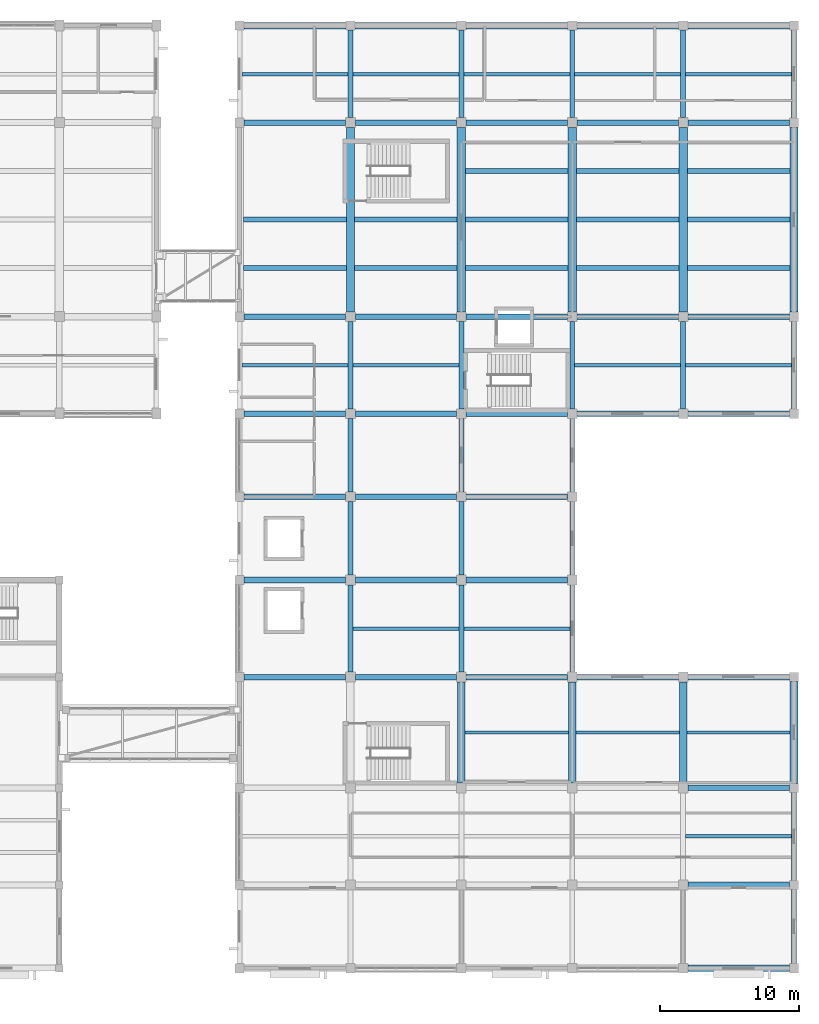
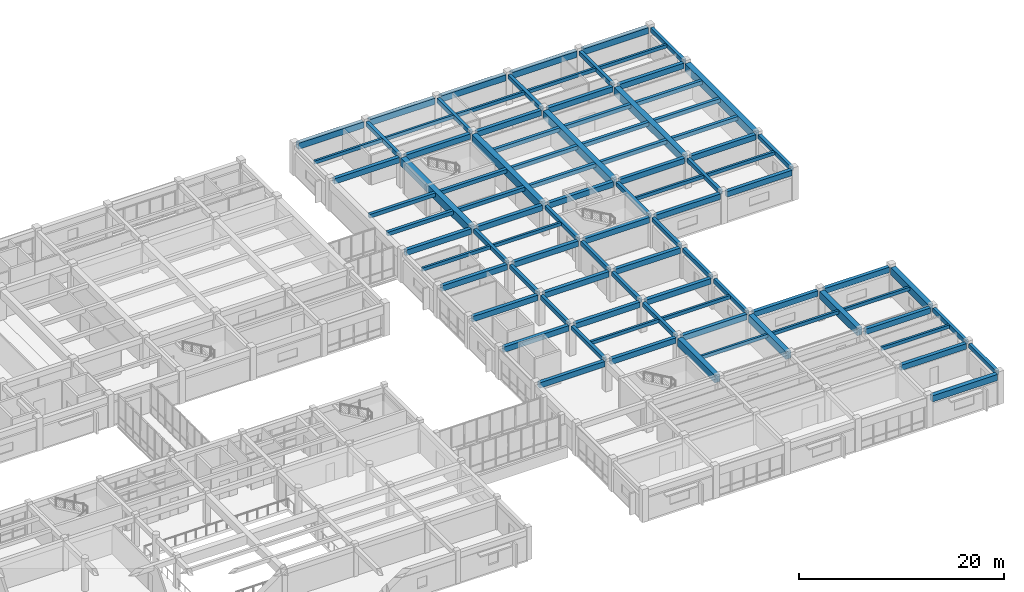
# One storey, part 35 of 66: 92 beams.
"""IFC4 building model written with IfcOpenShell, lengths in metres."""

import ifcopenshell
import ifcopenshell.guid

model = None  # the IFC model being written
_history = None  # IfcOwnerHistory: only IFC2X3 demands one
_inside = {}  # id of a spatial element -> (the spatial element, [elements in it])
_under = {}  # id of a project, library or spatial element -> (it, [spatial elements below it])
_declared = {}  # id of a project -> (the project, [libraries it declares])
_typed = {}  # id of a type object -> (the type object, [elements of that type])
_made_of = {}  # id of a material, layer set ... -> (it, [elements and type objects made of it])


def new_model(schema):
    """Start an empty IFC model of exactly this schema.

    Asked for "IFC4X3", IfcOpenShell would pick the latest addendum, in which some entities
    have other attributes; the version numbers below select the first issue.
    IFC2X3 requires an IfcOwnerHistory on every rooted entity: one is made here for all.
    """
    global model, _history
    if schema == "IFC4X3":
        model = ifcopenshell.file(schema_version=(4, 3, 0, 0))
    else:
        model = ifcopenshell.file(schema=schema)
    _inside.clear()
    _under.clear()
    _declared.clear()
    _typed.clear()
    _made_of.clear()
    _history = None
    if model.schema == "IFC2X3":
        org = make("IfcOrganization", Name="unknown")
        user = make(
            "IfcPersonAndOrganization",
            ThePerson=make("IfcPerson", FamilyName="unknown"),
            TheOrganization=org,
        )
        app = make(
            "IfcApplication",
            ApplicationDeveloper=org,
            Version="unknown",
            ApplicationFullName="unknown",
            ApplicationIdentifier="unknown",
        )
        _history = make(
            "IfcOwnerHistory",
            OwningUser=user,
            OwningApplication=app,
            ChangeAction="ADDED",
            CreationDate=0,
        )
    return model


def make(cls, **values):
    """One entity of the class cls with the attributes given. An attribute that is None is left unset."""
    return model.create_entity(
        cls, **{name: value for name, value in values.items() if value is not None}
    )


def rooted(cls, **values):
    """An entity with a GlobalId (a new one), such as an element, a storey or a relation."""
    return make(cls, GlobalId=ifcopenshell.guid.new(), OwnerHistory=_history, **values)


def si_unit(unit_type, name, prefix=None):
    """IfcSIUnit, for example si_unit("LENGTHUNIT", "METRE", prefix="MILLI")."""
    return make("IfcSIUnit", UnitType=unit_type, Prefix=prefix, Name=name)


def assignment(units):
    """IfcUnitAssignment: the units of a project."""
    return None if units is None else make("IfcUnitAssignment", Units=units)


def point(xyz):
    """IfcCartesianPoint."""
    return None if xyz is None else make("IfcCartesianPoint", Coordinates=xyz)


def direction(xyz):
    """IfcDirection."""
    return None if xyz is None else make("IfcDirection", DirectionRatios=xyz)


def frame(location, z_axis=None, x_axis=None):
    """IfcAxis2Placement3D, a coordinate frame: its origin and axes. An axis left out is left unset."""
    return make(
        "IfcAxis2Placement3D",
        Location=point(location),
        Axis=direction(z_axis),
        RefDirection=direction(x_axis),
    )


def frame_2d(location, x_axis=None):
    """IfcAxis2Placement2D, a coordinate frame in the plane: its origin and x axis."""
    return make(
        "IfcAxis2Placement2D", Location=point(location), RefDirection=direction(x_axis)
    )


def origin():
    """The frame at (0, 0, 0) with its axes left unset."""
    return frame((0.0, 0.0, 0.0))


def origin_2d():
    """The frame at (0, 0) in the plane with its x axis left unset."""
    return frame_2d((0.0, 0.0))


def place(relative_to, where):
    """IfcLocalPlacement: puts the frame where relative to a parent placement (None: the world)."""
    return make(
        "IfcLocalPlacement", PlacementRelTo=relative_to, RelativePlacement=where
    )


def context(
    kind, dimensions, precision=None, world=None, true_north=None, identifier=None
):
    """IfcGeometricRepresentationContext, for example the 3D "Model" context."""
    return make(
        "IfcGeometricRepresentationContext",
        ContextIdentifier=identifier,
        ContextType=kind,
        CoordinateSpaceDimension=dimensions,
        Precision=precision,
        WorldCoordinateSystem=world,
        TrueNorth=true_north,
    )


def subcontext(parent, identifier, kind, view, scale=None):
    """IfcGeometricRepresentationSubContext, for example "Body" below "Model"."""
    return make(
        "IfcGeometricRepresentationSubContext",
        ContextIdentifier=identifier,
        ContextType=kind,
        ParentContext=parent,
        TargetScale=scale,
        TargetView=view,
    )


def project(units=None, contexts=None):
    """IfcProject with its units and contexts."""
    return rooted(
        "IfcProject",
        Name="project",
        RepresentationContexts=contexts,
        UnitsInContext=assignment(units),
    )


def spatial(cls, under=None, at=None, **own):
    """A site, building, storey or space (cls), placed at a placement, below another one or the project."""
    s = rooted(cls, ObjectPlacement=at, **own)
    if under is not None:
        _under.setdefault(under.id(), (under, []))[1].append(s)
    return s


def profile(cls, at=None, kind="AREA", **sizes):
    """A parametric profile (cls). Its sizes go by their IFC names, for example OverallWidth=200.0."""
    return make(cls, ProfileType=kind, Position=at, **sizes)


def rectangle(**sizes):
    """IfcRectangleProfileDef."""
    return profile("IfcRectangleProfileDef", **sizes)


def extrude(swept, where, along, depth):
    """IfcExtrudedAreaSolid: the profile swept, set in the frame where, extruded along a direction by depth."""
    return make(
        "IfcExtrudedAreaSolid",
        SweptArea=swept,
        Position=where,
        ExtrudedDirection=direction(along),
        Depth=depth,
    )


def shape(context_of_items, identifier, shape_type, items):
    """IfcShapeRepresentation: the items that make up one representation, for example the "Body"."""
    return make(
        "IfcShapeRepresentation",
        ContextOfItems=context_of_items,
        RepresentationIdentifier=identifier,
        RepresentationType=shape_type,
        Items=items,
    )


def material(Name=None, Category=None):
    """IfcMaterial."""
    return make("IfcMaterial", Name=Name, Category=Category)


def material_profile(
    of_material, cross_section, Name=None, Category=None, Priority=None
):
    """IfcMaterialProfile: a cross section and its material."""
    return make(
        "IfcMaterialProfile",
        Name=Name,
        Material=of_material,
        Profile=cross_section,
        Priority=Priority,
        Category=Category,
    )


def profile_set(profiles, Name=None, composite=None):
    """IfcMaterialProfileSet."""
    return make(
        "IfcMaterialProfileSet",
        Name=Name,
        MaterialProfiles=profiles,
        CompositeProfile=composite,
    )


def made_of(thing, what):
    """Note that an element or type object is made of a material, layer set ...; save() writes the relation."""
    if what is not None:
        _made_of.setdefault(what.id(), (what, []))[1].append(thing)
    return thing


def type_object(cls, material=None, **own):
    """A type object (cls), such as IfcWallType, which elements share."""
    return made_of(rooted(cls, **own), material)


def element(
    cls,
    number,
    at=None,
    inside=None,
    cuts=None,
    type_object=None,
    material=None,
    context=None,
    identifier="Body",
    shape_type=None,
    held_by="IfcProductDefinitionShape",
    body=None,
    shapes=None,
    **own,
):
    """One element of the class cls, such as IfcWall. Its Tag is "e" and its number.

    at: its placement. inside: the storey or other place that contains it. cuts: it is an
    opening in that element (IfcRelVoidsElement). A single representation is given by context,
    identifier, shape_type and body (its items); several are given by shapes. held_by: the class
    of the entity that holds the representations. save() writes the other relations.
    """
    e = rooted(cls, Tag="e%d" % number, ObjectPlacement=at, **own)
    if body is not None:
        shapes = [shape(context, identifier, shape_type, body)]
    if shapes is not None:
        e.Representation = make(held_by, Representations=shapes)
    if inside is not None:
        _inside.setdefault(inside.id(), (inside, []))[1].append(e)
    if cuts is not None:
        rooted(
            "IfcRelVoidsElement", RelatingBuildingElement=cuts, RelatedOpeningElement=e
        )
    if type_object is not None:
        _typed.setdefault(type_object.id(), (type_object, []))[1].append(e)
    return made_of(e, material)


def aggregate(whole, parts):
    """IfcRelAggregates: a whole, such as a stair, and the parts it consists of."""
    return rooted("IfcRelAggregates", RelatingObject=whole, RelatedObjects=parts)


def save(model, path):
    """Write the relations noted so far, then the file.

    IfcRelAggregates (storeys below a building ...), IfcRelContainedInSpatialStructure (elements
    in a storey), IfcRelDefinesByType, IfcRelAssociatesMaterial and IfcRelDeclares: one each for
    every whole, place, type object, material and project.
    """
    for whole, parts in _under.values():
        aggregate(whole, parts)
    for where, things in _inside.values():
        rooted(
            "IfcRelContainedInSpatialStructure",
            RelatedElements=things,
            RelatingStructure=where,
        )
    for kind, things in _typed.values():
        rooted("IfcRelDefinesByType", RelatedObjects=things, RelatingType=kind)
    for what, things in _made_of.values():
        rooted("IfcRelAssociatesMaterial", RelatedObjects=things, RelatingMaterial=what)
    for by, libraries in _declared.values():
        rooted("IfcRelDeclares", RelatingContext=by, RelatedDefinitions=libraries)
    model.write(path)


model = new_model("IFC4")

# Units and contexts
model_context = context("Model", 3, precision=1e-05, world=origin(), true_north=direction((0.0, 1.0)))
body_context = subcontext(model_context, "Body", "Model", "MODEL_VIEW")
ifc_project = project(units=[si_unit("LENGTHUNIT", "METRE"), si_unit("AREAUNIT", "SQUARE_METRE"), si_unit("VOLUMEUNIT", "CUBIC_METRE"), si_unit("PLANEANGLEUNIT", "RADIAN"), si_unit("MASSUNIT", "GRAM", prefix="KILO")], contexts=[model_context])

# Site, building, storey
site_placement = place(None, origin())
site = spatial("IfcSite", under=ifc_project, at=site_placement, CompositionType="ELEMENT")
building_placement = place(site_placement, origin())
building = spatial("IfcBuilding", under=site, at=building_placement, Name="Naurynzar Civic Courthouse", CompositionType="ELEMENT")
storey_placement = place(building_placement, frame((0.0, 0.0, 14.39990234375)))
storey = spatial("IfcBuildingStorey", under=building, at=storey_placement, Name="L04", CompositionType="ELEMENT", Elevation=14.39990234375)

# Beams
ifc_material_1 = material(Name="Concrete C40/50", Category="concrete")
ifc_material_profile_1 = material_profile(ifc_material_1, rectangle(XDim=0.25, YDim=0.39990234375, at=origin_2d()), Name="RCB 250x400")
ifc_profile_set_1 = profile_set([ifc_material_profile_1], Name="Concrete C40/50")
beam_type_1 = type_object("IfcBeamType", Name="BM-JST-250x400", PredefinedType="JOIST", material=ifc_profile_set_1)
beam_1_placement = place(storey_placement, frame((162.175048828125, 13.5, 3.380126953125), z_axis=(1.0, 0.0, 0.0), x_axis=(0.0, 1.0, 0.0)))
element("IfcBeam", 1, at=beam_1_placement, inside=storey, type_object=beam_type_1, Name="V5 secondary rib 2601 L04", PredefinedType="JOIST", context=body_context, shape_type="SweptSolid", body=[
    extrude(rectangle(XDim=0.25, YDim=0.39990234375, at=origin_2d()), origin(), (0.0, 0.0, 1.0), 7.64990234375),
])
for number, where, z_axis, x_axis, name in (
    (2, (146.27490234375, 21.0, 3.380126953125), (1.0, 0.0, 0.0), (0.0, 1.0, 0.0), "V5 secondary rib 2602 L04"),
    (3, (154.27490234375, 21.0, 3.380126953125), (1.0, 0.0, 0.0), (0.0, 1.0, 0.0), "V5 secondary rib 2603 L04"),
    (4, (162.27490234375, 21.0, 3.380126953125), (1.0, 0.0, 0.0), (0.0, 1.0, 0.0), "V5 secondary rib 2604 L04"),
):
    element("IfcBeam", number, at=place(storey_placement, frame(where, z_axis=z_axis, x_axis=x_axis)), inside=storey, type_object=beam_type_1, Name=name, PredefinedType="JOIST", context=body_context, shape_type="SweptSolid", body=[
        extrude(rectangle(XDim=0.25, YDim=0.39990234375, at=origin_2d()), origin(), (0.0, 0.0, 1.0), 7.4501953125),
    ])
for number, where, z_axis, x_axis, name in (
    (5, (138.175048828125, 28.5, 3.380126953125), (1.0, 0.0, 0.0), (0.0, 1.0, 0.0), "V5 secondary rib 2605 L04"),
    (6, (146.175048828125, 28.5, 3.380126953125), (1.0, 0.0, 0.0), (0.0, 1.0, 0.0), "V5 secondary rib 2606 L04"),
    (7, (130.175048828125, 47.5, 3.380126953125), (1.0, 0.0, 0.0), (0.0, 1.0, 0.0), "V5 secondary rib 2607 L04"),
    (8, (138.175048828125, 47.5, 3.380126953125), (1.0, 0.0, 0.0), (0.0, 1.0, 0.0), "V5 secondary rib 2608 L04"),
    (9, (154.175048828125, 47.5, 3.380126953125), (1.0, 0.0, 0.0), (0.0, 1.0, 0.0), "V5 secondary rib 2609 L04"),
    (10, (162.175048828125, 47.5, 3.380126953125), (1.0, 0.0, 0.0), (0.0, 1.0, 0.0), "V5 secondary rib 2610 L04"),
    (11, (130.175048828125, 68.5, 3.380126953125), (1.0, 0.0, 0.0), (0.0, 1.0, 0.0), "V5 secondary rib 2624 L04"),
    (12, (138.175048828125, 68.5, 3.380126953125), (1.0, 0.0, 0.0), (0.0, 1.0, 0.0), "V5 secondary rib 2625 L04"),
    (13, (146.175048828125, 68.5, 3.380126953125), (1.0, 0.0, 0.0), (0.0, 1.0, 0.0), "V5 secondary rib 2626 L04"),
    (14, (154.175048828125, 68.5, 3.380126953125), (1.0, 0.0, 0.0), (0.0, 1.0, 0.0), "V5 secondary rib 2627 L04"),
    (15, (162.175048828125, 68.5, 3.380126953125), (1.0, 0.0, 0.0), (0.0, 1.0, 0.0), "V5 secondary rib 2628 L04"),
):
    element("IfcBeam", number, at=place(storey_placement, frame(where, z_axis=z_axis, x_axis=x_axis)), inside=storey, type_object=beam_type_1, Name=name, PredefinedType="JOIST", context=body_context, shape_type="SweptSolid", body=[
        extrude(rectangle(XDim=0.25, YDim=0.39990234375, at=origin_2d()), origin(), (0.0, 0.0, 1.0), 7.64990234375),
    ])
ifc_material_2 = material(Name="Concrete C40/50", Category="concrete")
ifc_material_profile_2 = material_profile(ifc_material_2, rectangle(XDim=0.60009765625, YDim=0.949951171875, at=origin_2d()), Name="PTB 600x950")
ifc_profile_set_2 = profile_set([ifc_material_profile_2], Name="Concrete C40/50")
beam_type_2 = type_object("IfcBeamType", Name="BM-PT-600x950", PredefinedType="T_BEAM", material=ifc_profile_set_2)
for number, where, z_axis, x_axis, name in (
    (16, (138.0, 51.35009765625, 3.10498046875), (0.0, 1.0, 0.0), (-1.0, 0.0, 0.0), "V5 girder Y-2565 L04"),
    (17, (146.0, 51.35009765625, 3.10498046875), (0.0, 1.0, 0.0), (-1.0, 0.0, 0.0), "V5 girder Y-2574 L04"),
    (18, (154.0, 51.35009765625, 3.10498046875), (0.0, 1.0, 0.0), (-1.0, 0.0, 0.0), "V5 girder Y-2583 L04"),
    (19, (162.0, 51.35009765625, 3.10498046875), (0.0, 1.0, 0.0), (-1.0, 0.0, 0.0), "V5 girder Y-2589 L04"),
):
    element("IfcBeam", number, at=place(storey_placement, frame(where, z_axis=z_axis, x_axis=x_axis)), inside=storey, type_object=beam_type_2, Name=name, PredefinedType="T_BEAM", context=body_context, shape_type="SweptSolid", body=[
        extrude(rectangle(XDim=0.60009765625, YDim=0.949951171875, at=origin_2d()), origin(), (0.0, 0.0, 1.0), 13.2998046875),
    ])
beam_2_placement = place(storey_placement, frame((170.0, 51.33740234375, 3.10498046875), z_axis=(0.0, 1.0, 0.0), x_axis=(-1.0, 0.0, 0.0)))
element("IfcBeam", 20, at=beam_2_placement, inside=storey, type_object=beam_type_2, Name="V5 girder Y-2595 L04", PredefinedType="T_BEAM", context=body_context, shape_type="SweptSolid", body=[
    extrude(rectangle(XDim=0.60009765625, YDim=0.949951171875, at=origin_2d()), origin(), (0.0, 0.0, 1.0), 13.3251953125),
])
ifc_material_3 = material(Name="Concrete C40/50", Category="concrete")
ifc_material_profile_3 = material_profile(ifc_material_3, rectangle(XDim=0.35009765625, YDim=0.449951171875, at=origin_2d()), Name="RCB 350x450")
ifc_profile_set_3 = profile_set([ifc_material_profile_3], Name="Concrete C40/50")
beam_type_3 = type_object("IfcBeamType", Name="BM-RC-350x450", PredefinedType="BEAM", material=ifc_profile_set_3)
for number, where, z_axis, x_axis, name in (
    (21, (130.300048828125, 54.5, 3.35498046875), (1.0, 0.0, 0.0), (0.0, 1.0, 0.0), "V5 secondary rib 2611 L04"),
    (22, (130.300048828125, 58.0, 3.35498046875), (1.0, 0.0, 0.0), (0.0, 1.0, 0.0), "V5 secondary rib 2612 L04"),
    (23, (138.300048828125, 54.5, 3.35498046875), (1.0, 0.0, 0.0), (0.0, 1.0, 0.0), "V5 secondary rib 2613 L04"),
    (24, (138.300048828125, 58.0, 3.35498046875), (1.0, 0.0, 0.0), (0.0, 1.0, 0.0), "V5 secondary rib 2614 L04"),
    (25, (146.300048828125, 54.5, 3.35498046875), (1.0, 0.0, 0.0), (0.0, 1.0, 0.0), "V5 secondary rib 2615 L04"),
    (26, (146.300048828125, 58.0, 3.35498046875), (1.0, 0.0, 0.0), (0.0, 1.0, 0.0), "V5 secondary rib 2616 L04"),
    (27, (146.300048828125, 61.5, 3.35498046875), (1.0, 0.0, 0.0), (0.0, 1.0, 0.0), "V5 secondary rib 2617 L04"),
    (28, (154.300048828125, 54.5, 3.35498046875), (1.0, 0.0, 0.0), (0.0, 1.0, 0.0), "V5 secondary rib 2618 L04"),
    (29, (154.300048828125, 58.0, 3.35498046875), (1.0, 0.0, 0.0), (0.0, 1.0, 0.0), "V5 secondary rib 2619 L04"),
    (30, (154.300048828125, 61.5, 3.35498046875), (1.0, 0.0, 0.0), (0.0, 1.0, 0.0), "V5 secondary rib 2620 L04"),
    (31, (162.300048828125, 54.5, 3.35498046875), (1.0, 0.0, 0.0), (0.0, 1.0, 0.0), "V5 secondary rib 2621 L04"),
    (32, (162.300048828125, 58.0, 3.35498046875), (1.0, 0.0, 0.0), (0.0, 1.0, 0.0), "V5 secondary rib 2622 L04"),
    (33, (162.300048828125, 61.5, 3.35498046875), (1.0, 0.0, 0.0), (0.0, 1.0, 0.0), "V5 secondary rib 2623 L04"),
):
    element("IfcBeam", number, at=place(storey_placement, frame(where, z_axis=z_axis, x_axis=x_axis)), inside=storey, type_object=beam_type_3, Name=name, PredefinedType="BEAM", context=body_context, shape_type="SweptSolid", body=[
        extrude(rectangle(XDim=0.35009765625, YDim=0.449951171875, at=origin_2d()), origin(), (0.0, 0.0, 1.0), 7.39990234375),
    ])
ifc_material_4 = material(Name="Concrete C40/50", Category="concrete")
ifc_material_profile_4 = material_profile(ifc_material_4, rectangle(XDim=0.35009765625, YDim=0.5, at=origin_2d()), Name="RCB 350x500")
ifc_profile_set_4 = profile_set([ifc_material_profile_4], Name="Concrete C40/50")
beam_type_4 = type_object("IfcBeamType", Name="BM-RC-350x500", PredefinedType="BEAM", material=ifc_profile_set_4)
beam_3_placement = place(storey_placement, frame((138.0, 25.35009765625, 3.330078125), z_axis=(0.0, 1.0, 0.0), x_axis=(-1.0, 0.0, 0.0)))
element("IfcBeam", 34, at=beam_3_placement, inside=storey, type_object=beam_type_4, Name="V5 girder Y-2561 L04", PredefinedType="BEAM", context=body_context, shape_type="SweptSolid", body=[
    extrude(rectangle(XDim=0.35009765625, YDim=0.5, at=origin_2d()), origin(), (0.0, 0.0, 1.0), 6.2998046875),
])
for number, where, z_axis, x_axis, name in (
    (35, (138.0, 32.35009765625, 3.330078125), (0.0, 1.0, 0.0), (-1.0, 0.0, 0.0), "V5 girder Y-2562 L04"),
    (36, (138.0, 38.35009765625, 3.330078125), (0.0, 1.0, 0.0), (-1.0, 0.0, 0.0), "V5 girder Y-2563 L04"),
):
    element("IfcBeam", number, at=place(storey_placement, frame(where, z_axis=z_axis, x_axis=x_axis)), inside=storey, type_object=beam_type_4, Name=name, PredefinedType="BEAM", context=body_context, shape_type="SweptSolid", body=[
        extrude(rectangle(XDim=0.35009765625, YDim=0.5, at=origin_2d()), origin(), (0.0, 0.0, 1.0), 5.2998046875),
    ])
beam_4_placement = place(storey_placement, frame((138.0, 44.35009765625, 3.330078125), z_axis=(0.0, 1.0, 0.0), x_axis=(-1.0, 0.0, 0.0)))
element("IfcBeam", 37, at=beam_4_placement, inside=storey, type_object=beam_type_4, Name="V5 girder Y-2564 L04", PredefinedType="BEAM", context=body_context, shape_type="SweptSolid", body=[
    extrude(rectangle(XDim=0.35009765625, YDim=0.5, at=origin_2d()), origin(), (0.0, 0.0, 1.0), 6.2998046875),
])
beam_5_placement = place(storey_placement, frame((138.0, 65.35009765625, 3.330078125), z_axis=(0.0, 1.0, 0.0), x_axis=(-1.0, 0.0, 0.0)))
element("IfcBeam", 38, at=beam_5_placement, inside=storey, type_object=beam_type_4, Name="V5 girder Y-2566 L04", PredefinedType="BEAM", context=body_context, shape_type="SweptSolid", body=[
    extrude(rectangle(XDim=0.35009765625, YDim=0.5, at=origin_2d()), origin(), (0.0, 0.0, 1.0), 6.3125),
])
beam_6_placement = place(storey_placement, frame((146.0, 25.35009765625, 3.330078125), z_axis=(0.0, 1.0, 0.0), x_axis=(-1.0, 0.0, 0.0)))
element("IfcBeam", 39, at=beam_6_placement, inside=storey, type_object=beam_type_4, Name="V5 girder Y-2570 L04", PredefinedType="BEAM", context=body_context, shape_type="SweptSolid", body=[
    extrude(rectangle(XDim=0.35009765625, YDim=0.5, at=origin_2d()), origin(), (0.0, 0.0, 1.0), 6.2998046875),
])
for number, where, z_axis, x_axis, name in (
    (40, (146.0, 32.35009765625, 3.330078125), (0.0, 1.0, 0.0), (-1.0, 0.0, 0.0), "V5 girder Y-2571 L04"),
    (41, (146.0, 38.35009765625, 3.330078125), (0.0, 1.0, 0.0), (-1.0, 0.0, 0.0), "V5 girder Y-2572 L04"),
):
    element("IfcBeam", number, at=place(storey_placement, frame(where, z_axis=z_axis, x_axis=x_axis)), inside=storey, type_object=beam_type_4, Name=name, PredefinedType="BEAM", context=body_context, shape_type="SweptSolid", body=[
        extrude(rectangle(XDim=0.35009765625, YDim=0.5, at=origin_2d()), origin(), (0.0, 0.0, 1.0), 5.2998046875),
    ])
beam_7_placement = place(storey_placement, frame((146.0, 44.35009765625, 3.330078125), z_axis=(0.0, 1.0, 0.0), x_axis=(-1.0, 0.0, 0.0)))
element("IfcBeam", 42, at=beam_7_placement, inside=storey, type_object=beam_type_4, Name="V5 girder Y-2573 L04", PredefinedType="BEAM", context=body_context, shape_type="SweptSolid", body=[
    extrude(rectangle(XDim=0.35009765625, YDim=0.5, at=origin_2d()), origin(), (0.0, 0.0, 1.0), 6.2998046875),
])
beam_8_placement = place(storey_placement, frame((146.0, 65.35009765625, 3.330078125), z_axis=(0.0, 1.0, 0.0), x_axis=(-1.0, 0.0, 0.0)))
element("IfcBeam", 43, at=beam_8_placement, inside=storey, type_object=beam_type_4, Name="V5 girder Y-2575 L04", PredefinedType="BEAM", context=body_context, shape_type="SweptSolid", body=[
    extrude(rectangle(XDim=0.35009765625, YDim=0.5, at=origin_2d()), origin(), (0.0, 0.0, 1.0), 6.3125),
])
beam_9_placement = place(storey_placement, frame((154.0, 25.35009765625, 3.330078125), z_axis=(0.0, 1.0, 0.0), x_axis=(-1.0, 0.0, 0.0)))
element("IfcBeam", 44, at=beam_9_placement, inside=storey, type_object=beam_type_4, Name="V5 girder Y-2579 L04", PredefinedType="BEAM", context=body_context, shape_type="SweptSolid", body=[
    extrude(rectangle(XDim=0.35009765625, YDim=0.5, at=origin_2d()), origin(), (0.0, 0.0, 1.0), 6.2998046875),
])
for number, where, z_axis, x_axis, name in (
    (45, (154.0, 32.35009765625, 3.330078125), (0.0, 1.0, 0.0), (-1.0, 0.0, 0.0), "V5 girder Y-2580 L04"),
    (46, (154.0, 38.35009765625, 3.330078125), (0.0, 1.0, 0.0), (-1.0, 0.0, 0.0), "V5 girder Y-2581 L04"),
):
    element("IfcBeam", number, at=place(storey_placement, frame(where, z_axis=z_axis, x_axis=x_axis)), inside=storey, type_object=beam_type_4, Name=name, PredefinedType="BEAM", context=body_context, shape_type="SweptSolid", body=[
        extrude(rectangle(XDim=0.35009765625, YDim=0.5, at=origin_2d()), origin(), (0.0, 0.0, 1.0), 5.2998046875),
    ])
beam_10_placement = place(storey_placement, frame((154.0, 44.35009765625, 3.330078125), z_axis=(0.0, 1.0, 0.0), x_axis=(-1.0, 0.0, 0.0)))
element("IfcBeam", 47, at=beam_10_placement, inside=storey, type_object=beam_type_4, Name="V5 girder Y-2582 L04", PredefinedType="BEAM", context=body_context, shape_type="SweptSolid", body=[
    extrude(rectangle(XDim=0.35009765625, YDim=0.5, at=origin_2d()), origin(), (0.0, 0.0, 1.0), 6.2998046875),
])
beam_11_placement = place(storey_placement, frame((154.0, 65.35009765625, 3.330078125), z_axis=(0.0, 1.0, 0.0), x_axis=(-1.0, 0.0, 0.0)))
element("IfcBeam", 48, at=beam_11_placement, inside=storey, type_object=beam_type_4, Name="V5 girder Y-2584 L04", PredefinedType="BEAM", context=body_context, shape_type="SweptSolid", body=[
    extrude(rectangle(XDim=0.35009765625, YDim=0.5, at=origin_2d()), origin(), (0.0, 0.0, 1.0), 6.3125),
])
beam_12_placement = place(storey_placement, frame((162.0, 44.35009765625, 3.330078125), z_axis=(0.0, 1.0, 0.0), x_axis=(-1.0, 0.0, 0.0)))
element("IfcBeam", 49, at=beam_12_placement, inside=storey, type_object=beam_type_4, Name="V5 girder Y-2588 L04", PredefinedType="BEAM", context=body_context, shape_type="SweptSolid", body=[
    extrude(rectangle(XDim=0.35009765625, YDim=0.5, at=origin_2d()), origin(), (0.0, 0.0, 1.0), 6.2998046875),
])
beam_13_placement = place(storey_placement, frame((162.0, 65.35009765625, 3.330078125), z_axis=(0.0, 1.0, 0.0), x_axis=(-1.0, 0.0, 0.0)))
element("IfcBeam", 50, at=beam_13_placement, inside=storey, type_object=beam_type_4, Name="V5 girder Y-2590 L04", PredefinedType="BEAM", context=body_context, shape_type="SweptSolid", body=[
    extrude(rectangle(XDim=0.35009765625, YDim=0.5, at=origin_2d()), origin(), (0.0, 0.0, 1.0), 6.3125),
])
beam_14_placement = place(storey_placement, frame((170.0, 4.33740234375, 3.330078125), z_axis=(0.0, 1.0, 0.0), x_axis=(-1.0, 0.0, 0.0)))
element("IfcBeam", 51, at=beam_14_placement, inside=storey, type_object=beam_type_4, Name="V5 girder Y-2591 L04", PredefinedType="BEAM", context=body_context, shape_type="SweptSolid", body=[
    extrude(rectangle(XDim=0.35009765625, YDim=0.5, at=origin_2d()), origin(), (0.0, 0.0, 1.0), 5.3251953125),
])
for number, where, z_axis, x_axis, name in (
    (52, (170.0, 10.33740234375, 3.330078125), (0.0, 1.0, 0.0), (-1.0, 0.0, 0.0), "V5 girder Y-2592 L04"),
    (53, (170.0, 44.33740234375, 3.330078125), (0.0, 1.0, 0.0), (-1.0, 0.0, 0.0), "V5 girder Y-2594 L04"),
    (54, (170.0, 65.33740234375, 3.330078125), (0.0, 1.0, 0.0), (-1.0, 0.0, 0.0), "V5 girder Y-2596 L04"),
):
    element("IfcBeam", number, at=place(storey_placement, frame(where, z_axis=z_axis, x_axis=x_axis)), inside=storey, type_object=beam_type_4, Name=name, PredefinedType="BEAM", context=body_context, shape_type="SweptSolid", body=[
        extrude(rectangle(XDim=0.35009765625, YDim=0.5, at=origin_2d()), origin(), (0.0, 0.0, 1.0), 6.3251953125),
    ])
ifc_material_5 = material(Name="Concrete C40/50", Category="concrete")
ifc_material_profile_5 = material_profile(ifc_material_5, rectangle(XDim=0.39990234375, YDim=0.64990234375, at=origin_2d()), Name="RCB 400x650")
ifc_profile_set_5 = profile_set([ifc_material_profile_5], Name="Concrete C40/50")
beam_type_5 = type_object("IfcBeamType", Name="BM-RC-400x650", PredefinedType="BEAM", material=ifc_profile_set_5)
for number, where, z_axis, x_axis, name in (
    (55, (162.35009765625, 10.0, 3.255126953125), (1.0, 0.0, 0.0), (0.0, 1.0, 0.0), "V5 beam X-2512 L04"),
    (56, (162.35009765625, 17.0, 3.255126953125), (1.0, 0.0, 0.0), (0.0, 1.0, 0.0), "V5 beam X-2517 L04"),
    (57, (130.33740234375, 25.0, 3.255126953125), (1.0, 0.0, 0.0), (0.0, 1.0, 0.0), "V5 beam X-2518 L04"),
):
    element("IfcBeam", number, at=place(storey_placement, frame(where, z_axis=z_axis, x_axis=x_axis)), inside=storey, type_object=beam_type_5, Name=name, PredefinedType="BEAM", context=body_context, shape_type="SweptSolid", body=[
        extrude(rectangle(XDim=0.39990234375, YDim=0.64990234375, at=origin_2d()), origin(), (0.0, 0.0, 1.0), 7.3125),
    ])
for number, where, z_axis, x_axis, name in (
    (58, (138.35009765625, 25.0, 3.255126953125), (1.0, 0.0, 0.0), (0.0, 1.0, 0.0), "V5 beam X-2519 L04"),
    (59, (146.35009765625, 25.0, 3.255126953125), (1.0, 0.0, 0.0), (0.0, 1.0, 0.0), "V5 beam X-2520 L04"),
    (60, (154.35009765625, 25.0, 3.255126953125), (1.0, 0.0, 0.0), (0.0, 1.0, 0.0), "V5 beam X-2521 L04"),
):
    element("IfcBeam", number, at=place(storey_placement, frame(where, z_axis=z_axis, x_axis=x_axis)), inside=storey, type_object=beam_type_5, Name=name, PredefinedType="BEAM", context=body_context, shape_type="SweptSolid", body=[
        extrude(rectangle(XDim=0.39990234375, YDim=0.64990234375, at=origin_2d()), origin(), (0.0, 0.0, 1.0), 7.2998046875),
    ])
for number, where, z_axis, x_axis, name in (
    (61, (162.35009765625, 25.0, 3.255126953125), (1.0, 0.0, 0.0), (0.0, 1.0, 0.0), "V5 beam X-2522 L04"),
    (62, (130.33740234375, 32.0, 3.255126953125), (1.0, 0.0, 0.0), (0.0, 1.0, 0.0), "V5 beam X-2523 L04"),
):
    element("IfcBeam", number, at=place(storey_placement, frame(where, z_axis=z_axis, x_axis=x_axis)), inside=storey, type_object=beam_type_5, Name=name, PredefinedType="BEAM", context=body_context, shape_type="SweptSolid", body=[
        extrude(rectangle(XDim=0.39990234375, YDim=0.64990234375, at=origin_2d()), origin(), (0.0, 0.0, 1.0), 7.3125),
    ])
for number, where, z_axis, x_axis, name in (
    (63, (138.35009765625, 32.0, 3.255126953125), (1.0, 0.0, 0.0), (0.0, 1.0, 0.0), "V5 beam X-2524 L04"),
    (64, (146.35009765625, 32.0, 3.255126953125), (1.0, 0.0, 0.0), (0.0, 1.0, 0.0), "V5 beam X-2525 L04"),
):
    element("IfcBeam", number, at=place(storey_placement, frame(where, z_axis=z_axis, x_axis=x_axis)), inside=storey, type_object=beam_type_5, Name=name, PredefinedType="BEAM", context=body_context, shape_type="SweptSolid", body=[
        extrude(rectangle(XDim=0.39990234375, YDim=0.64990234375, at=origin_2d()), origin(), (0.0, 0.0, 1.0), 7.2998046875),
    ])
beam_15_placement = place(storey_placement, frame((130.33740234375, 38.0, 3.255126953125), z_axis=(1.0, 0.0, 0.0), x_axis=(0.0, 1.0, 0.0)))
element("IfcBeam", 65, at=beam_15_placement, inside=storey, type_object=beam_type_5, Name="V5 beam X-2526 L04", PredefinedType="BEAM", context=body_context, shape_type="SweptSolid", body=[
    extrude(rectangle(XDim=0.39990234375, YDim=0.64990234375, at=origin_2d()), origin(), (0.0, 0.0, 1.0), 7.3125),
])
for number, where, z_axis, x_axis, name in (
    (66, (138.35009765625, 38.0, 3.255126953125), (1.0, 0.0, 0.0), (0.0, 1.0, 0.0), "V5 beam X-2527 L04"),
    (67, (146.35009765625, 38.0, 3.255126953125), (1.0, 0.0, 0.0), (0.0, 1.0, 0.0), "V5 beam X-2528 L04"),
):
    element("IfcBeam", number, at=place(storey_placement, frame(where, z_axis=z_axis, x_axis=x_axis)), inside=storey, type_object=beam_type_5, Name=name, PredefinedType="BEAM", context=body_context, shape_type="SweptSolid", body=[
        extrude(rectangle(XDim=0.39990234375, YDim=0.64990234375, at=origin_2d()), origin(), (0.0, 0.0, 1.0), 7.2998046875),
    ])
beam_16_placement = place(storey_placement, frame((130.33740234375, 44.0, 3.255126953125), z_axis=(1.0, 0.0, 0.0), x_axis=(0.0, 1.0, 0.0)))
element("IfcBeam", 68, at=beam_16_placement, inside=storey, type_object=beam_type_5, Name="V5 beam X-2529 L04", PredefinedType="BEAM", context=body_context, shape_type="SweptSolid", body=[
    extrude(rectangle(XDim=0.39990234375, YDim=0.64990234375, at=origin_2d()), origin(), (0.0, 0.0, 1.0), 7.3125),
])
for number, where, z_axis, x_axis, name in (
    (69, (138.35009765625, 44.0, 3.255126953125), (1.0, 0.0, 0.0), (0.0, 1.0, 0.0), "V5 beam X-2530 L04"),
    (70, (146.35009765625, 44.0, 3.255126953125), (1.0, 0.0, 0.0), (0.0, 1.0, 0.0), "V5 beam X-2531 L04"),
    (71, (154.35009765625, 44.0, 3.255126953125), (1.0, 0.0, 0.0), (0.0, 1.0, 0.0), "V5 beam X-2532 L04"),
):
    element("IfcBeam", number, at=place(storey_placement, frame(where, z_axis=z_axis, x_axis=x_axis)), inside=storey, type_object=beam_type_5, Name=name, PredefinedType="BEAM", context=body_context, shape_type="SweptSolid", body=[
        extrude(rectangle(XDim=0.39990234375, YDim=0.64990234375, at=origin_2d()), origin(), (0.0, 0.0, 1.0), 7.2998046875),
    ])
for number, where, z_axis, x_axis, name in (
    (72, (162.35009765625, 44.0, 3.255126953125), (1.0, 0.0, 0.0), (0.0, 1.0, 0.0), "V5 beam X-2533 L04"),
    (73, (130.33740234375, 51.0, 3.255126953125), (1.0, 0.0, 0.0), (0.0, 1.0, 0.0), "V5 beam X-2534 L04"),
):
    element("IfcBeam", number, at=place(storey_placement, frame(where, z_axis=z_axis, x_axis=x_axis)), inside=storey, type_object=beam_type_5, Name=name, PredefinedType="BEAM", context=body_context, shape_type="SweptSolid", body=[
        extrude(rectangle(XDim=0.39990234375, YDim=0.64990234375, at=origin_2d()), origin(), (0.0, 0.0, 1.0), 7.3125),
    ])
for number, where, z_axis, x_axis, name in (
    (74, (138.35009765625, 51.0, 3.255126953125), (1.0, 0.0, 0.0), (0.0, 1.0, 0.0), "V5 beam X-2535 L04"),
    (75, (146.35009765625, 51.0, 3.255126953125), (1.0, 0.0, 0.0), (0.0, 1.0, 0.0), "V5 beam X-2536 L04"),
    (76, (154.35009765625, 51.0, 3.255126953125), (1.0, 0.0, 0.0), (0.0, 1.0, 0.0), "V5 beam X-2537 L04"),
):
    element("IfcBeam", number, at=place(storey_placement, frame(where, z_axis=z_axis, x_axis=x_axis)), inside=storey, type_object=beam_type_5, Name=name, PredefinedType="BEAM", context=body_context, shape_type="SweptSolid", body=[
        extrude(rectangle(XDim=0.39990234375, YDim=0.64990234375, at=origin_2d()), origin(), (0.0, 0.0, 1.0), 7.2998046875),
    ])
for number, where, z_axis, x_axis, name in (
    (77, (162.35009765625, 51.0, 3.255126953125), (1.0, 0.0, 0.0), (0.0, 1.0, 0.0), "V5 beam X-2538 L04"),
    (78, (130.33740234375, 65.0, 3.255126953125), (1.0, 0.0, 0.0), (0.0, 1.0, 0.0), "V5 beam X-2539 L04"),
):
    element("IfcBeam", number, at=place(storey_placement, frame(where, z_axis=z_axis, x_axis=x_axis)), inside=storey, type_object=beam_type_5, Name=name, PredefinedType="BEAM", context=body_context, shape_type="SweptSolid", body=[
        extrude(rectangle(XDim=0.39990234375, YDim=0.64990234375, at=origin_2d()), origin(), (0.0, 0.0, 1.0), 7.3125),
    ])
for number, where, z_axis, x_axis, name in (
    (79, (138.35009765625, 65.0, 3.255126953125), (1.0, 0.0, 0.0), (0.0, 1.0, 0.0), "V5 beam X-2540 L04"),
    (80, (146.35009765625, 65.0, 3.255126953125), (1.0, 0.0, 0.0), (0.0, 1.0, 0.0), "V5 beam X-2541 L04"),
    (81, (154.35009765625, 65.0, 3.255126953125), (1.0, 0.0, 0.0), (0.0, 1.0, 0.0), "V5 beam X-2542 L04"),
):
    element("IfcBeam", number, at=place(storey_placement, frame(where, z_axis=z_axis, x_axis=x_axis)), inside=storey, type_object=beam_type_5, Name=name, PredefinedType="BEAM", context=body_context, shape_type="SweptSolid", body=[
        extrude(rectangle(XDim=0.39990234375, YDim=0.64990234375, at=origin_2d()), origin(), (0.0, 0.0, 1.0), 7.2998046875),
    ])
beam_17_placement = place(storey_placement, frame((162.35009765625, 65.0, 3.255126953125), z_axis=(1.0, 0.0, 0.0), x_axis=(0.0, 1.0, 0.0)))
element("IfcBeam", 82, at=beam_17_placement, inside=storey, type_object=beam_type_5, Name="V5 beam X-2543 L04", PredefinedType="BEAM", context=body_context, shape_type="SweptSolid", body=[
    extrude(rectangle(XDim=0.39990234375, YDim=0.64990234375, at=origin_2d()), origin(), (0.0, 0.0, 1.0), 7.3125),
])
ifc_material_6 = material(Name="Concrete C40/50", Category="concrete")
ifc_material_profile_6 = material_profile(ifc_material_6, rectangle(XDim=0.47509765625, YDim=0.72509765625, at=origin_2d()), Name="RCB 475x725")
ifc_profile_set_6 = profile_set([ifc_material_profile_6], Name="Concrete C40/50")
beam_type_6 = type_object("IfcBeamType", Name="BM-RC-475x725", PredefinedType="SPANDREL", material=ifc_profile_set_6)
for number, where, z_axis, x_axis, name in (
    (83, (162.33740234375, 4.0, 3.217529296875), (1.0, 0.0, 0.0), (0.0, 1.0, 0.0), "V5 beam X-2507 L04"),
    (84, (130.33740234375, 72.0, 3.217529296875), (1.0, 0.0, 0.0), (0.0, 1.0, 0.0), "V5 beam X-2544 L04"),
    (85, (138.33740234375, 72.0, 3.217529296875), (1.0, 0.0, 0.0), (0.0, 1.0, 0.0), "V5 beam X-2545 L04"),
    (86, (146.33740234375, 72.0, 3.217529296875), (1.0, 0.0, 0.0), (0.0, 1.0, 0.0), "V5 beam X-2546 L04"),
    (87, (154.33740234375, 72.0, 3.217529296875), (1.0, 0.0, 0.0), (0.0, 1.0, 0.0), "V5 beam X-2547 L04"),
    (88, (162.33740234375, 72.0, 3.217529296875), (1.0, 0.0, 0.0), (0.0, 1.0, 0.0), "V5 beam X-2548 L04"),
):
    element("IfcBeam", number, at=place(storey_placement, frame(where, z_axis=z_axis, x_axis=x_axis)), inside=storey, type_object=beam_type_6, Name=name, PredefinedType="SPANDREL", context=body_context, shape_type="SweptSolid", body=[
        extrude(rectangle(XDim=0.47509765625, YDim=0.72509765625, at=origin_2d()), origin(), (0.0, 0.0, 1.0), 7.3251953125),
    ])
ifc_material_7 = material(Name="Concrete C40/50", Category="concrete")
ifc_material_profile_7 = material_profile(ifc_material_7, rectangle(XDim=0.550048828125, YDim=0.89990234375, at=origin_2d()), Name="RCB 550x900")
ifc_profile_set_7 = profile_set([ifc_material_profile_7], Name="Concrete C40/50")
beam_type_7 = type_object("IfcBeamType", Name="BM-RC-550x900", PredefinedType="T_BEAM", material=ifc_profile_set_7)
for number, where, z_axis, x_axis, name in (
    (89, (146.0, 17.35009765625, 3.130126953125), (0.0, 1.0, 0.0), (-1.0, 0.0, 0.0), "V5 girder Y-2569 L04"),
    (90, (154.0, 17.35009765625, 3.130126953125), (0.0, 1.0, 0.0), (-1.0, 0.0, 0.0), "V5 girder Y-2578 L04"),
    (91, (162.0, 17.35009765625, 3.130126953125), (0.0, 1.0, 0.0), (-1.0, 0.0, 0.0), "V5 girder Y-2587 L04"),
):
    element("IfcBeam", number, at=place(storey_placement, frame(where, z_axis=z_axis, x_axis=x_axis)), inside=storey, type_object=beam_type_7, Name=name, PredefinedType="T_BEAM", context=body_context, shape_type="SweptSolid", body=[
        extrude(rectangle(XDim=0.550048828125, YDim=0.89990234375, at=origin_2d()), origin(), (0.0, 0.0, 1.0), 7.2998046875),
    ])
beam_18_placement = place(storey_placement, frame((170.0, 17.33740234375, 3.130126953125), z_axis=(0.0, 1.0, 0.0), x_axis=(-1.0, 0.0, 0.0)))
element("IfcBeam", 92, at=beam_18_placement, inside=storey, type_object=beam_type_7, Name="V5 girder Y-2593 L04", PredefinedType="T_BEAM", context=body_context, shape_type="SweptSolid", body=[
    extrude(rectangle(XDim=0.550048828125, YDim=0.89990234375, at=origin_2d()), origin(), (0.0, 0.0, 1.0), 7.3251953125),
])

save(model, "model.ifc")
